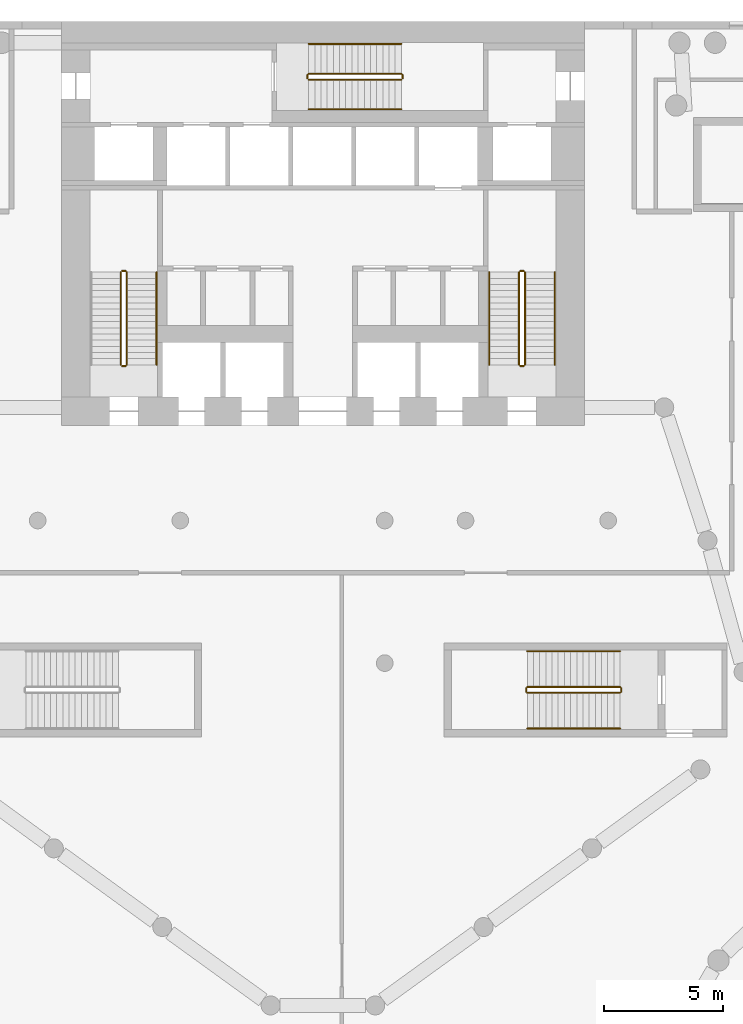
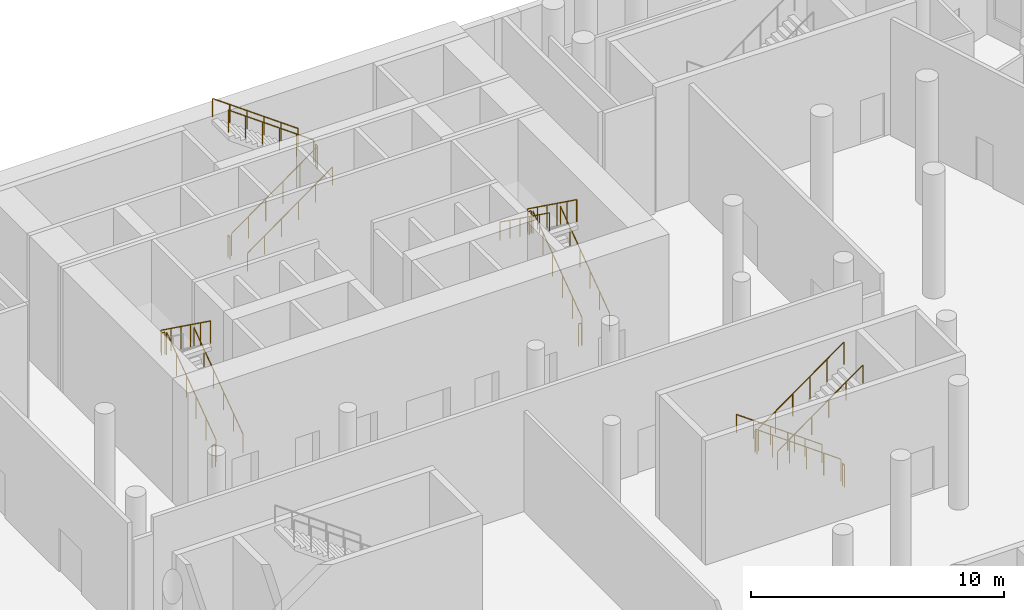
# One storey, part 22 of 23: 23 railings.
"""IFC4 building model written with IfcOpenShell, lengths in metres."""

from ifc_helpers import new_model, si_unit, direction, frame, origin, origin_2d, place, context, subcontext, project, spatial, circle, extrude, material, type_object, element, save


model = new_model("IFC4")

# Units and contexts
model_context = context("Model", 3, precision=1e-05, world=origin(), true_north=direction((0.0, 1.0)))
body_context = subcontext(model_context, "Body", "Model", "MODEL_VIEW")
ifc_project = project(units=[si_unit("LENGTHUNIT", "METRE"), si_unit("AREAUNIT", "SQUARE_METRE"), si_unit("VOLUMEUNIT", "CUBIC_METRE"), si_unit("PLANEANGLEUNIT", "RADIAN"), si_unit("MASSUNIT", "GRAM", prefix="KILO")], contexts=[model_context])

# Site, building, storey
site_placement = place(None, origin())
site = spatial("IfcSite", under=ifc_project, at=site_placement, CompositionType="ELEMENT")
building_placement = place(site_placement, origin())
building = spatial("IfcBuilding", under=site, at=building_placement, Name="White Candle Pilgrim Tower", CompositionType="ELEMENT")
storey_placement = place(building_placement, frame((0.0, 0.0, 9.0)))
storey = spatial("IfcBuildingStorey", under=building, at=storey_placement, Name="L01", CompositionType="ELEMENT", Elevation=9.0)

# Railings
ifc_material = material(Name="Stainless steel", Category="steel")
railing_type_1 = type_object("IfcRailingType", Name="Stair guard stainless steel 1100 mm", PredefinedType="GUARDRAIL", material=ifc_material)
railing_1_placement = place(storey_placement, frame((61.75, 73.550048828125, 0.1875)))
element("IfcRailing", 1, at=railing_1_placement, inside=storey, type_object=railing_type_1, Name="L01 ST1 stair guard 1", PredefinedType="GUARDRAIL", context=body_context, shape_type="SweptSolid", body=[
    extrude(circle(Radius=0.02392578125, at=origin_2d()), frame((0.0, 0.0, 1.076171875), z_axis=(0.0, 0.811083382981, 0.584930547887), x_axis=(-1.0, 0.0, 0.0)), (0.0, 0.0, 1.0), 4.808349609375),
    extrude(circle(Radius=0.02099609375, at=origin_2d()), origin(), (0.0, 0.0, 1.0), 1.052001953125),
    extrude(circle(Radius=0.02099609375, at=origin_2d()), frame((0.0, 0.780029296875, 0.5625)), (0.0, 0.0, 1.0), 1.052001953125),
    extrude(circle(Radius=0.02099609375, at=origin_2d()), frame((0.0, 1.56005859375, 1.125)), (0.0, 0.0, 1.0), 1.052001953125),
    extrude(circle(Radius=0.02099609375, at=origin_2d()), frame((0.0, 2.33984375, 1.6875)), (0.0, 0.0, 1.0), 1.052001953125),
    extrude(circle(Radius=0.02099609375, at=origin_2d()), frame((0.0, 3.119873046875, 2.25)), (0.0, 0.0, 1.0), 1.052001953125),
    extrude(circle(Radius=0.02099609375, at=origin_2d()), frame((0.0, 3.89990234375, 2.8125)), (0.0, 0.0, 1.0), 1.052001953125),
])
railing_2_placement = place(storey_placement, frame((61.699951171875, 77.5, 3.0)))
element("IfcRailing", 2, at=railing_2_placement, inside=storey, type_object=railing_type_1, Name="L01 ST1 stair guard 2", PredefinedType="GUARDRAIL", context=body_context, shape_type="SweptSolid", body=[
    extrude(circle(Radius=0.02392578125, at=origin_2d()), frame((0.0, 0.0, 1.076171875), z_axis=(-1.0, 0.0, 0.0), x_axis=(0.0, -1.0, 0.0)), (0.0, 0.0, 1.0), 0.14990234375),
    extrude(circle(Radius=0.02099609375, at=origin_2d()), origin(), (0.0, 0.0, 1.0), 1.052001953125),
    extrude(circle(Radius=0.02099609375, at=origin_2d()), frame((-0.14990234375, 0.0, 0.0)), (0.0, 0.0, 1.0), 1.052001953125),
])
railing_3_placement = place(storey_placement, frame((61.5, 77.449951171875, 3.1875)))
element("IfcRailing", 3, at=railing_3_placement, inside=storey, type_object=railing_type_1, Name="L01 ST1 stair guard 3", PredefinedType="GUARDRAIL", context=body_context, shape_type="SweptSolid", body=[
    extrude(circle(Radius=0.02392578125, at=origin_2d()), frame((0.0, 0.0, 1.076171875), z_axis=(0.0, -0.811083382981, 0.584930547887), x_axis=(1.0, 0.0, 0.0)), (0.0, 0.0, 1.0), 4.808349609375),
    extrude(circle(Radius=0.02099609375, at=origin_2d()), origin(), (0.0, 0.0, 1.0), 1.052001953125),
    extrude(circle(Radius=0.02099609375, at=origin_2d()), frame((0.0, -0.780029296875, 0.5625)), (0.0, 0.0, 1.0), 1.052001953125),
    extrude(circle(Radius=0.02099609375, at=origin_2d()), frame((0.0, -1.56005859375, 1.125)), (0.0, 0.0, 1.0), 1.052001953125),
    extrude(circle(Radius=0.02099609375, at=origin_2d()), frame((0.0, -2.33984375, 1.6875)), (0.0, 0.0, 1.0), 1.052001953125),
    extrude(circle(Radius=0.02099609375, at=origin_2d()), frame((0.0, -3.119873046875, 2.25)), (0.0, 0.0, 1.0), 1.052001953125),
    extrude(circle(Radius=0.02099609375, at=origin_2d()), frame((0.0, -3.89990234375, 2.8125)), (0.0, 0.0, 1.0), 1.052001953125),
])
railing_4_placement = place(storey_placement, frame((61.699951171875, 73.5, 0.0)))
element("IfcRailing", 4, at=railing_4_placement, inside=storey, type_object=railing_type_1, Name="L01 ST1 stair guard 4", PredefinedType="GUARDRAIL", context=body_context, shape_type="SweptSolid", body=[
    extrude(circle(Radius=0.02392578125, at=origin_2d()), frame((0.0, 0.0, 1.076171875), z_axis=(-1.0, 0.0, 0.0), x_axis=(0.0, -1.0, 0.0)), (0.0, 0.0, 1.0), 0.14990234375),
    extrude(circle(Radius=0.02099609375, at=origin_2d()), origin(), (0.0, 0.0, 1.0), 1.052001953125),
    extrude(circle(Radius=0.02099609375, at=origin_2d()), frame((-0.14990234375, 0.0, 0.0)), (0.0, 0.0, 1.0), 1.052001953125),
])
railing_5_placement = place(storey_placement, frame((78.5, 73.550048828125, 0.1875)))
element("IfcRailing", 5, at=railing_5_placement, inside=storey, type_object=railing_type_1, Name="L01 ST2 stair guard 1", PredefinedType="GUARDRAIL", context=body_context, shape_type="SweptSolid", body=[
    extrude(circle(Radius=0.02392578125, at=origin_2d()), frame((0.0, 0.0, 1.076171875), z_axis=(0.0, 0.811083382981, 0.584930547887), x_axis=(-1.0, 0.0, 0.0)), (0.0, 0.0, 1.0), 4.808349609375),
    extrude(circle(Radius=0.02099609375, at=origin_2d()), origin(), (0.0, 0.0, 1.0), 1.052001953125),
    extrude(circle(Radius=0.02099609375, at=origin_2d()), frame((0.0, 0.780029296875, 0.5625)), (0.0, 0.0, 1.0), 1.052001953125),
    extrude(circle(Radius=0.02099609375, at=origin_2d()), frame((0.0, 1.56005859375, 1.125)), (0.0, 0.0, 1.0), 1.052001953125),
    extrude(circle(Radius=0.02099609375, at=origin_2d()), frame((0.0, 2.33984375, 1.6875)), (0.0, 0.0, 1.0), 1.052001953125),
    extrude(circle(Radius=0.02099609375, at=origin_2d()), frame((0.0, 3.119873046875, 2.25)), (0.0, 0.0, 1.0), 1.052001953125),
    extrude(circle(Radius=0.02099609375, at=origin_2d()), frame((0.0, 3.89990234375, 2.8125)), (0.0, 0.0, 1.0), 1.052001953125),
])
railing_6_placement = place(storey_placement, frame((78.449951171875, 77.5, 3.0)))
element("IfcRailing", 6, at=railing_6_placement, inside=storey, type_object=railing_type_1, Name="L01 ST2 stair guard 2", PredefinedType="GUARDRAIL", context=body_context, shape_type="SweptSolid", body=[
    extrude(circle(Radius=0.02392578125, at=origin_2d()), frame((0.0, 0.0, 1.076171875), z_axis=(-1.0, 0.0, 0.0), x_axis=(0.0, -1.0, 0.0)), (0.0, 0.0, 1.0), 0.14990234375),
    extrude(circle(Radius=0.02099609375, at=origin_2d()), origin(), (0.0, 0.0, 1.0), 1.052001953125),
    extrude(circle(Radius=0.02099609375, at=origin_2d()), frame((-0.14990234375, 0.0, 0.0)), (0.0, 0.0, 1.0), 1.052001953125),
])
railing_7_placement = place(storey_placement, frame((78.25, 77.449951171875, 3.1875)))
element("IfcRailing", 7, at=railing_7_placement, inside=storey, type_object=railing_type_1, Name="L01 ST2 stair guard 3", PredefinedType="GUARDRAIL", context=body_context, shape_type="SweptSolid", body=[
    extrude(circle(Radius=0.02392578125, at=origin_2d()), frame((0.0, 0.0, 1.076171875), z_axis=(0.0, -0.811083382981, 0.584930547887), x_axis=(1.0, 0.0, 0.0)), (0.0, 0.0, 1.0), 4.808349609375),
    extrude(circle(Radius=0.02099609375, at=origin_2d()), origin(), (0.0, 0.0, 1.0), 1.052001953125),
    extrude(circle(Radius=0.02099609375, at=origin_2d()), frame((0.0, -0.780029296875, 0.5625)), (0.0, 0.0, 1.0), 1.052001953125),
    extrude(circle(Radius=0.02099609375, at=origin_2d()), frame((0.0, -1.56005859375, 1.125)), (0.0, 0.0, 1.0), 1.052001953125),
    extrude(circle(Radius=0.02099609375, at=origin_2d()), frame((0.0, -2.33984375, 1.6875)), (0.0, 0.0, 1.0), 1.052001953125),
    extrude(circle(Radius=0.02099609375, at=origin_2d()), frame((0.0, -3.119873046875, 2.25)), (0.0, 0.0, 1.0), 1.052001953125),
    extrude(circle(Radius=0.02099609375, at=origin_2d()), frame((0.0, -3.89990234375, 2.8125)), (0.0, 0.0, 1.0), 1.052001953125),
])
railing_8_placement = place(storey_placement, frame((78.449951171875, 73.5, 0.0)))
element("IfcRailing", 8, at=railing_8_placement, inside=storey, type_object=railing_type_1, Name="L01 ST2 stair guard 4", PredefinedType="GUARDRAIL", context=body_context, shape_type="SweptSolid", body=[
    extrude(circle(Radius=0.02392578125, at=origin_2d()), frame((0.0, 0.0, 1.076171875), z_axis=(-1.0, 0.0, 0.0), x_axis=(0.0, -1.0, 0.0)), (0.0, 0.0, 1.0), 0.14990234375),
    extrude(circle(Radius=0.02099609375, at=origin_2d()), origin(), (0.0, 0.0, 1.0), 1.052001953125),
    extrude(circle(Radius=0.02099609375, at=origin_2d()), frame((-0.14990234375, 0.0, 0.0)), (0.0, 0.0, 1.0), 1.052001953125),
])
railing_9_placement = place(storey_placement, frame((69.39990234375, 85.550048828125, 0.1875)))
element("IfcRailing", 9, at=railing_9_placement, inside=storey, type_object=railing_type_1, Name="L01 ST3 stair guard 1", PredefinedType="GUARDRAIL", context=body_context, shape_type="SweptSolid", body=[
    extrude(circle(Radius=0.02392578125, at=origin_2d()), frame((0.0, 0.0, 1.076171875), z_axis=(0.811100754333, 0.0, 0.584906459462), x_axis=(0.0, 1.0, 0.0)), (0.0, 0.0, 1.0), 4.808349609375),
    extrude(circle(Radius=0.02099609375, at=origin_2d()), origin(), (0.0, 0.0, 1.0), 1.052001953125),
    extrude(circle(Radius=0.02099609375, at=origin_2d()), frame((0.780029296875, 0.0, 0.5625)), (0.0, 0.0, 1.0), 1.052001953125),
    extrude(circle(Radius=0.02099609375, at=origin_2d()), frame((1.56005859375, 0.0, 1.125)), (0.0, 0.0, 1.0), 1.052001953125),
    extrude(circle(Radius=0.02099609375, at=origin_2d()), frame((2.340087890625, 0.0, 1.6875)), (0.0, 0.0, 1.0), 1.052001953125),
    extrude(circle(Radius=0.02099609375, at=origin_2d()), frame((3.1201171875, 0.0, 2.25)), (0.0, 0.0, 1.0), 1.052001953125),
    extrude(circle(Radius=0.02099609375, at=origin_2d()), frame((3.900146484375, 0.0, 2.8125)), (0.0, 0.0, 1.0), 1.052001953125),
])
railing_10_placement = place(storey_placement, frame((73.35009765625, 85.60009765625, 3.0)))
element("IfcRailing", 10, at=railing_10_placement, inside=storey, type_object=railing_type_1, Name="L01 ST3 stair guard 2", PredefinedType="GUARDRAIL", context=body_context, shape_type="SweptSolid", body=[
    extrude(circle(Radius=0.02392578125, at=origin_2d()), frame((0.0, 0.0, 1.076171875), z_axis=(0.0, 1.0, 0.0), x_axis=(-1.0, 0.0, 0.0)), (0.0, 0.0, 1.0), 0.14990234375),
    extrude(circle(Radius=0.02099609375, at=origin_2d()), origin(), (0.0, 0.0, 1.0), 1.052001953125),
    extrude(circle(Radius=0.02099609375, at=origin_2d()), frame((0.0, 0.14990234375, 0.0)), (0.0, 0.0, 1.0), 1.052001953125),
])
railing_11_placement = place(storey_placement, frame((73.300048828125, 85.800048828125, 3.1875)))
element("IfcRailing", 11, at=railing_11_placement, inside=storey, type_object=railing_type_1, Name="L01 ST3 stair guard 3", PredefinedType="GUARDRAIL", context=body_context, shape_type="SweptSolid", body=[
    extrude(circle(Radius=0.02392578125, at=origin_2d()), frame((0.0, 0.0, 1.076171875), z_axis=(-0.811100754333, 0.0, 0.584906459462), x_axis=(0.0, -1.0, 0.0)), (0.0, 0.0, 1.0), 4.808349609375),
    extrude(circle(Radius=0.02099609375, at=origin_2d()), origin(), (0.0, 0.0, 1.0), 1.052001953125),
    extrude(circle(Radius=0.02099609375, at=origin_2d()), frame((-0.780029296875, 0.0, 0.5625)), (0.0, 0.0, 1.0), 1.052001953125),
    extrude(circle(Radius=0.02099609375, at=origin_2d()), frame((-1.56005859375, 0.0, 1.125)), (0.0, 0.0, 1.0), 1.052001953125),
    extrude(circle(Radius=0.02099609375, at=origin_2d()), frame((-2.340087890625, 0.0, 1.6875)), (0.0, 0.0, 1.0), 1.052001953125),
    extrude(circle(Radius=0.02099609375, at=origin_2d()), frame((-3.1201171875, 0.0, 2.25)), (0.0, 0.0, 1.0), 1.052001953125),
    extrude(circle(Radius=0.02099609375, at=origin_2d()), frame((-3.900146484375, 0.0, 2.8125)), (0.0, 0.0, 1.0), 1.052001953125),
])
railing_12_placement = place(storey_placement, frame((69.35009765625, 85.60009765625, 0.0)))
element("IfcRailing", 12, at=railing_12_placement, inside=storey, type_object=railing_type_1, Name="L01 ST3 stair guard 4", PredefinedType="GUARDRAIL", context=body_context, shape_type="SweptSolid", body=[
    extrude(circle(Radius=0.02392578125, at=origin_2d()), frame((0.0, 0.0, 1.076171875), z_axis=(0.0, 1.0, 0.0), x_axis=(-1.0, 0.0, 0.0)), (0.0, 0.0, 1.0), 0.14990234375),
    extrude(circle(Radius=0.02099609375, at=origin_2d()), origin(), (0.0, 0.0, 1.0), 1.052001953125),
    extrude(circle(Radius=0.02099609375, at=origin_2d()), frame((0.0, 0.14990234375, 0.0)), (0.0, 0.0, 1.0), 1.052001953125),
])
railing_13_placement = place(storey_placement, frame((82.5, 60.0, 0.1875)))
element("IfcRailing", 13, at=railing_13_placement, inside=storey, type_object=railing_type_1, Name="L01 ST4 stair guard 1", PredefinedType="GUARDRAIL", context=body_context, shape_type="SweptSolid", body=[
    extrude(circle(Radius=0.02392578125, at=origin_2d()), frame((0.0, 0.0, 1.076171875), z_axis=(-0.811083382981, 0.0, 0.584930547887), x_axis=(0.0, -1.0, 0.0)), (0.0, 0.0, 1.0), 4.808349609375),
    extrude(circle(Radius=0.02099609375, at=origin_2d()), origin(), (0.0, 0.0, 1.0), 1.052001953125),
    extrude(circle(Radius=0.02099609375, at=origin_2d()), frame((-0.780029296875, 0.0, 0.5625)), (0.0, 0.0, 1.0), 1.052001953125),
    extrude(circle(Radius=0.02099609375, at=origin_2d()), frame((-1.56005859375, 0.0, 1.125)), (0.0, 0.0, 1.0), 1.052001953125),
    extrude(circle(Radius=0.02099609375, at=origin_2d()), frame((-2.33984375, 0.0, 1.6875)), (0.0, 0.0, 1.0), 1.052001953125),
    extrude(circle(Radius=0.02099609375, at=origin_2d()), frame((-3.119873046875, 0.0, 2.25)), (0.0, 0.0, 1.0), 1.052001953125),
    extrude(circle(Radius=0.02099609375, at=origin_2d()), frame((-3.89990234375, 0.0, 2.8125)), (0.0, 0.0, 1.0), 1.052001953125),
])
railing_14_placement = place(storey_placement, frame((78.550048828125, 59.949951171875, 3.0)))
element("IfcRailing", 14, at=railing_14_placement, inside=storey, type_object=railing_type_1, Name="L01 ST4 stair guard 2", PredefinedType="GUARDRAIL", context=body_context, shape_type="SweptSolid", body=[
    extrude(circle(Radius=0.02392578125, at=origin_2d()), frame((0.0, 0.0, 1.076171875), z_axis=(0.0, -1.0, 0.0), x_axis=(1.0, 0.0, 0.0)), (0.0, 0.0, 1.0), 0.14990234375),
    extrude(circle(Radius=0.02099609375, at=origin_2d()), origin(), (0.0, 0.0, 1.0), 1.052001953125),
    extrude(circle(Radius=0.02099609375, at=origin_2d()), frame((0.0, -0.14990234375, 0.0)), (0.0, 0.0, 1.0), 1.052001953125),
])
railing_15_placement = place(storey_placement, frame((78.60009765625, 59.75, 3.1875)))
element("IfcRailing", 15, at=railing_15_placement, inside=storey, type_object=railing_type_1, Name="L01 ST4 stair guard 3", PredefinedType="GUARDRAIL", context=body_context, shape_type="SweptSolid", body=[
    extrude(circle(Radius=0.02392578125, at=origin_2d()), frame((0.0, 0.0, 1.076171875), z_axis=(0.811083382981, 0.0, 0.584930547887), x_axis=(0.0, 1.0, 0.0)), (0.0, 0.0, 1.0), 4.808349609375),
    extrude(circle(Radius=0.02099609375, at=origin_2d()), origin(), (0.0, 0.0, 1.0), 1.052001953125),
    extrude(circle(Radius=0.02099609375, at=origin_2d()), frame((0.780029296875, 0.0, 0.5625)), (0.0, 0.0, 1.0), 1.052001953125),
    extrude(circle(Radius=0.02099609375, at=origin_2d()), frame((1.56005859375, 0.0, 1.125)), (0.0, 0.0, 1.0), 1.052001953125),
    extrude(circle(Radius=0.02099609375, at=origin_2d()), frame((2.33984375, 0.0, 1.6875)), (0.0, 0.0, 1.0), 1.052001953125),
    extrude(circle(Radius=0.02099609375, at=origin_2d()), frame((3.119873046875, 0.0, 2.25)), (0.0, 0.0, 1.0), 1.052001953125),
    extrude(circle(Radius=0.02099609375, at=origin_2d()), frame((3.89990234375, 0.0, 2.8125)), (0.0, 0.0, 1.0), 1.052001953125),
])
railing_16_placement = place(storey_placement, frame((82.550048828125, 59.949951171875, 0.0)))
element("IfcRailing", 16, at=railing_16_placement, inside=storey, type_object=railing_type_1, Name="L01 ST4 stair guard 4", PredefinedType="GUARDRAIL", context=body_context, shape_type="SweptSolid", body=[
    extrude(circle(Radius=0.02392578125, at=origin_2d()), frame((0.0, 0.0, 1.076171875), z_axis=(0.0, -1.0, 0.0), x_axis=(1.0, 0.0, 0.0)), (0.0, 0.0, 1.0), 0.14990234375),
    extrude(circle(Radius=0.02099609375, at=origin_2d()), origin(), (0.0, 0.0, 1.0), 1.052001953125),
    extrude(circle(Radius=0.02099609375, at=origin_2d()), frame((0.0, -0.14990234375, 0.0)), (0.0, 0.0, 1.0), 1.052001953125),
])
railing_type_2 = type_object("IfcRailingType", Name="Stair handrail stainless steel", PredefinedType="HANDRAIL", material=ifc_material)
for number, where, name in (
    (17, (63.0, 73.550048828125, 0.1875), "L01 ST1 stair handrail 1"),
    (18, (79.75, 73.550048828125, 0.1875), "L01 ST2 stair handrail 1"),
):
    element("IfcRailing", number, at=place(storey_placement, frame(where)), inside=storey, type_object=railing_type_2, Name=name, PredefinedType="HANDRAIL", context=body_context, shape_type="SweptSolid", body=[
        extrude(circle(Radius=0.02392578125, at=origin_2d()), frame((0.0, 0.0, 0.8759765625), z_axis=(0.0, 0.811083382981, 0.584930547887), x_axis=(-1.0, 0.0, 0.0)), (0.0, 0.0, 1.0), 4.808349609375),
        extrude(circle(Radius=0.02099609375, at=origin_2d()), origin(), (0.0, 0.0, 1.0), 0.851806640625),
        extrude(circle(Radius=0.02099609375, at=origin_2d()), frame((0.0, 0.780029296875, 0.5625)), (0.0, 0.0, 1.0), 0.851806640625),
        extrude(circle(Radius=0.02099609375, at=origin_2d()), frame((0.0, 1.56005859375, 1.125)), (0.0, 0.0, 1.0), 0.851806640625),
        extrude(circle(Radius=0.02099609375, at=origin_2d()), frame((0.0, 2.33984375, 1.6875)), (0.0, 0.0, 1.0), 0.851806640625),
        extrude(circle(Radius=0.02099609375, at=origin_2d()), frame((0.0, 3.119873046875, 2.25)), (0.0, 0.0, 1.0), 0.851806640625),
        extrude(circle(Radius=0.02099609375, at=origin_2d()), frame((0.0, 3.89990234375, 2.8125)), (0.0, 0.0, 1.0), 0.851806640625),
    ])
railing_17_placement = place(storey_placement, frame((77.0, 77.449951171875, 3.1875)))
element("IfcRailing", 19, at=railing_17_placement, inside=storey, type_object=railing_type_2, Name="L01 ST2 stair handrail 2", PredefinedType="HANDRAIL", context=body_context, shape_type="SweptSolid", body=[
    extrude(circle(Radius=0.02392578125, at=origin_2d()), frame((0.0, 0.0, 0.8759765625), z_axis=(0.0, -0.811083382981, 0.584930547887), x_axis=(1.0, 0.0, 0.0)), (0.0, 0.0, 1.0), 4.808349609375),
    extrude(circle(Radius=0.02099609375, at=origin_2d()), origin(), (0.0, 0.0, 1.0), 0.851806640625),
    extrude(circle(Radius=0.02099609375, at=origin_2d()), frame((0.0, -0.780029296875, 0.5625)), (0.0, 0.0, 1.0), 0.851806640625),
    extrude(circle(Radius=0.02099609375, at=origin_2d()), frame((0.0, -1.56005859375, 1.125)), (0.0, 0.0, 1.0), 0.851806640625),
    extrude(circle(Radius=0.02099609375, at=origin_2d()), frame((0.0, -2.33984375, 1.6875)), (0.0, 0.0, 1.0), 0.851806640625),
    extrude(circle(Radius=0.02099609375, at=origin_2d()), frame((0.0, -3.119873046875, 2.25)), (0.0, 0.0, 1.0), 0.851806640625),
    extrude(circle(Radius=0.02099609375, at=origin_2d()), frame((0.0, -3.89990234375, 2.8125)), (0.0, 0.0, 1.0), 0.851806640625),
])
railing_18_placement = place(storey_placement, frame((69.39990234375, 84.300048828125, 0.1875)))
element("IfcRailing", 20, at=railing_18_placement, inside=storey, type_object=railing_type_2, Name="L01 ST3 stair handrail 1", PredefinedType="HANDRAIL", context=body_context, shape_type="SweptSolid", body=[
    extrude(circle(Radius=0.02392578125, at=origin_2d()), frame((0.0, 0.0, 0.8759765625), z_axis=(0.811100754333, 0.0, 0.584906459462), x_axis=(0.0, 1.0, 0.0)), (0.0, 0.0, 1.0), 4.808349609375),
    extrude(circle(Radius=0.02099609375, at=origin_2d()), origin(), (0.0, 0.0, 1.0), 0.851806640625),
    extrude(circle(Radius=0.02099609375, at=origin_2d()), frame((0.780029296875, 0.0, 0.5625)), (0.0, 0.0, 1.0), 0.851806640625),
    extrude(circle(Radius=0.02099609375, at=origin_2d()), frame((1.56005859375, 0.0, 1.125)), (0.0, 0.0, 1.0), 0.851806640625),
    extrude(circle(Radius=0.02099609375, at=origin_2d()), frame((2.340087890625, 0.0, 1.6875)), (0.0, 0.0, 1.0), 0.851806640625),
    extrude(circle(Radius=0.02099609375, at=origin_2d()), frame((3.1201171875, 0.0, 2.25)), (0.0, 0.0, 1.0), 0.851806640625),
    extrude(circle(Radius=0.02099609375, at=origin_2d()), frame((3.900146484375, 0.0, 2.8125)), (0.0, 0.0, 1.0), 0.851806640625),
])
railing_19_placement = place(storey_placement, frame((73.300048828125, 87.050048828125, 3.1875)))
element("IfcRailing", 21, at=railing_19_placement, inside=storey, type_object=railing_type_2, Name="L01 ST3 stair handrail 2", PredefinedType="HANDRAIL", context=body_context, shape_type="SweptSolid", body=[
    extrude(circle(Radius=0.02392578125, at=origin_2d()), frame((0.0, 0.0, 0.8759765625), z_axis=(-0.811100754333, 0.0, 0.584906459462), x_axis=(0.0, -1.0, 0.0)), (0.0, 0.0, 1.0), 4.808349609375),
    extrude(circle(Radius=0.02099609375, at=origin_2d()), origin(), (0.0, 0.0, 1.0), 0.851806640625),
    extrude(circle(Radius=0.02099609375, at=origin_2d()), frame((-0.780029296875, 0.0, 0.5625)), (0.0, 0.0, 1.0), 0.851806640625),
    extrude(circle(Radius=0.02099609375, at=origin_2d()), frame((-1.56005859375, 0.0, 1.125)), (0.0, 0.0, 1.0), 0.851806640625),
    extrude(circle(Radius=0.02099609375, at=origin_2d()), frame((-2.340087890625, 0.0, 1.6875)), (0.0, 0.0, 1.0), 0.851806640625),
    extrude(circle(Radius=0.02099609375, at=origin_2d()), frame((-3.1201171875, 0.0, 2.25)), (0.0, 0.0, 1.0), 0.851806640625),
    extrude(circle(Radius=0.02099609375, at=origin_2d()), frame((-3.900146484375, 0.0, 2.8125)), (0.0, 0.0, 1.0), 0.851806640625),
])
railing_20_placement = place(storey_placement, frame((82.5, 61.5, 0.1875)))
element("IfcRailing", 22, at=railing_20_placement, inside=storey, type_object=railing_type_2, Name="L01 ST4 stair handrail 1", PredefinedType="HANDRAIL", context=body_context, shape_type="SweptSolid", body=[
    extrude(circle(Radius=0.02392578125, at=origin_2d()), frame((0.0, 0.0, 0.8759765625), z_axis=(-0.811083382981, 0.0, 0.584930547887), x_axis=(0.0, -1.0, 0.0)), (0.0, 0.0, 1.0), 4.808349609375),
    extrude(circle(Radius=0.02099609375, at=origin_2d()), origin(), (0.0, 0.0, 1.0), 0.851806640625),
    extrude(circle(Radius=0.02099609375, at=origin_2d()), frame((-0.780029296875, 0.0, 0.5625)), (0.0, 0.0, 1.0), 0.851806640625),
    extrude(circle(Radius=0.02099609375, at=origin_2d()), frame((-1.56005859375, 0.0, 1.125)), (0.0, 0.0, 1.0), 0.851806640625),
    extrude(circle(Radius=0.02099609375, at=origin_2d()), frame((-2.33984375, 0.0, 1.6875)), (0.0, 0.0, 1.0), 0.851806640625),
    extrude(circle(Radius=0.02099609375, at=origin_2d()), frame((-3.119873046875, 0.0, 2.25)), (0.0, 0.0, 1.0), 0.851806640625),
    extrude(circle(Radius=0.02099609375, at=origin_2d()), frame((-3.89990234375, 0.0, 2.8125)), (0.0, 0.0, 1.0), 0.851806640625),
])
railing_21_placement = place(storey_placement, frame((78.60009765625, 58.25, 3.1875)))
element("IfcRailing", 23, at=railing_21_placement, inside=storey, type_object=railing_type_2, Name="L01 ST4 stair handrail 2", PredefinedType="HANDRAIL", context=body_context, shape_type="SweptSolid", body=[
    extrude(circle(Radius=0.02392578125, at=origin_2d()), frame((0.0, 0.0, 0.8759765625), z_axis=(0.811083382981, 0.0, 0.584930547887), x_axis=(0.0, 1.0, 0.0)), (0.0, 0.0, 1.0), 4.808349609375),
    extrude(circle(Radius=0.02099609375, at=origin_2d()), origin(), (0.0, 0.0, 1.0), 0.851806640625),
    extrude(circle(Radius=0.02099609375, at=origin_2d()), frame((0.780029296875, 0.0, 0.5625)), (0.0, 0.0, 1.0), 0.851806640625),
    extrude(circle(Radius=0.02099609375, at=origin_2d()), frame((1.56005859375, 0.0, 1.125)), (0.0, 0.0, 1.0), 0.851806640625),
    extrude(circle(Radius=0.02099609375, at=origin_2d()), frame((2.33984375, 0.0, 1.6875)), (0.0, 0.0, 1.0), 0.851806640625),
    extrude(circle(Radius=0.02099609375, at=origin_2d()), frame((3.119873046875, 0.0, 2.25)), (0.0, 0.0, 1.0), 0.851806640625),
    extrude(circle(Radius=0.02099609375, at=origin_2d()), frame((3.89990234375, 0.0, 2.8125)), (0.0, 0.0, 1.0), 0.851806640625),
])

save(model, "model.ifc")
